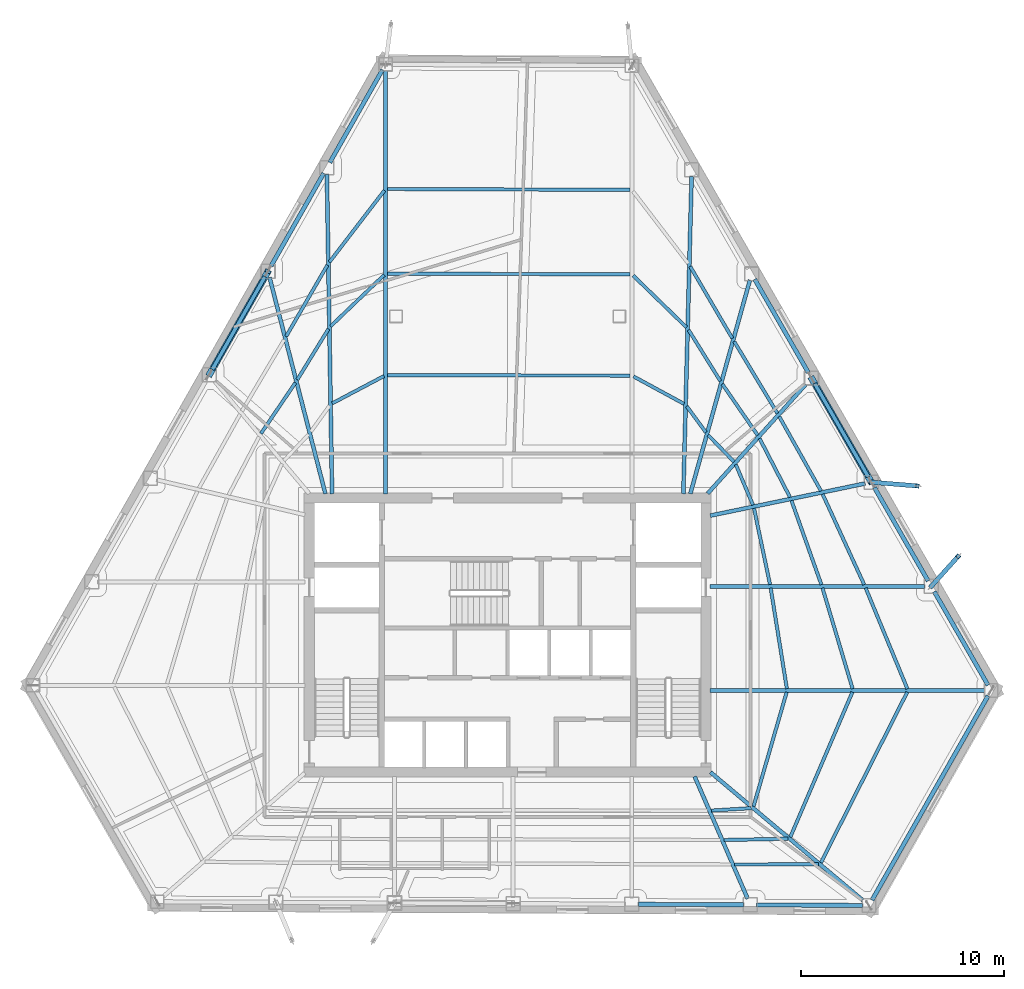
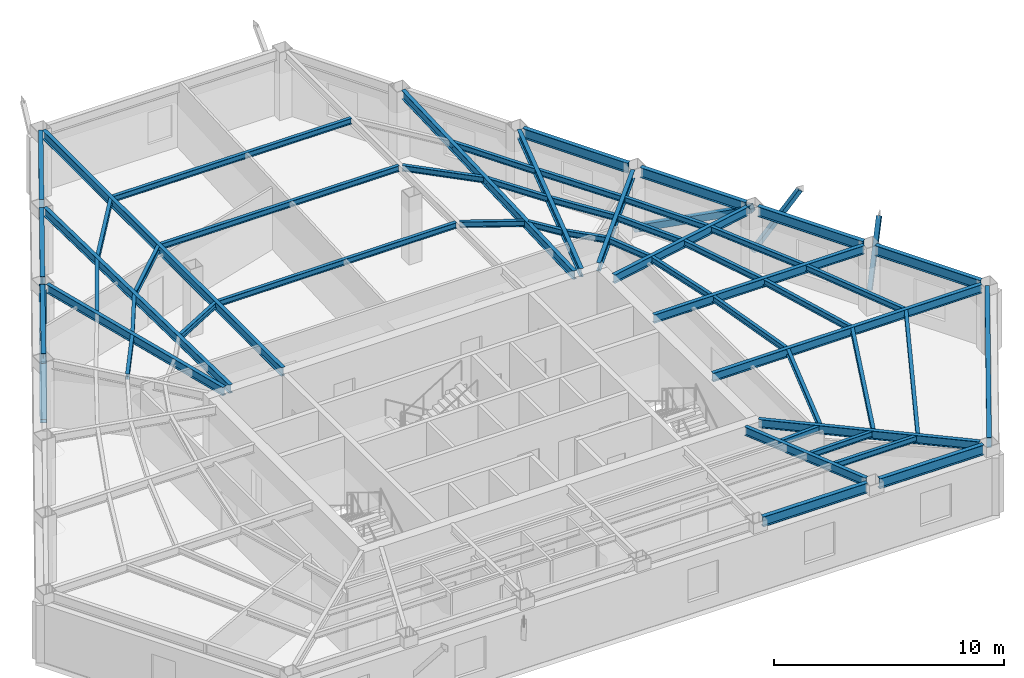
# One storey, part 2 of 13: 53 beams, 4 members.
"""IFC4 building model written with IfcOpenShell, lengths in metres."""

from ifc_helpers import new_model, si_unit, direction, frame, origin, origin_2d, place, context, subcontext, project, spatial, hollow_rectangle, i_section, extrude, material, material_profile, profile_set, type_object, element, save


model = new_model("IFC4")

# Units and contexts
model_context = context("Model", 3, precision=1e-05, world=origin(), true_north=direction((0.0, 1.0)))
body_context = subcontext(model_context, "Body", "Model", "MODEL_VIEW")
ifc_project = project(units=[si_unit("LENGTHUNIT", "METRE"), si_unit("AREAUNIT", "SQUARE_METRE"), si_unit("VOLUMEUNIT", "CUBIC_METRE"), si_unit("PLANEANGLEUNIT", "RADIAN"), si_unit("MASSUNIT", "GRAM", prefix="KILO")], contexts=[model_context])

# Site, building, storey
site_placement = place(None, origin())
site = spatial("IfcSite", under=ifc_project, at=site_placement, CompositionType="ELEMENT")
building_placement = place(site_placement, origin())
building = spatial("IfcBuilding", under=site, at=building_placement, Name="Kavelnor Concourse Tower", CompositionType="ELEMENT")
storey_placement = place(building_placement, frame((0.0, 0.0, 108.60009765625)))
storey = spatial("IfcBuildingStorey", under=building, at=storey_placement, Name="L27", CompositionType="ELEMENT", Elevation=108.60009765625)

# Beams
ifc_material = material(Name="Steel Grade 350", Category="steel")
ifc_material_profile_1 = material_profile(ifc_material, i_section(OverallWidth=0.166015625, OverallDepth=0.306884765625, WebThickness=0.006591796875, FlangeThickness=0.01171875, at=origin_2d()), Name="310UB46")
ifc_profile_set_1 = profile_set([ifc_material_profile_1], Name="Steel Grade 350")
beam_type_1 = type_object("IfcBeamType", Name="BM-JOIST-310", PredefinedType="JOIST", material=ifc_profile_set_1)
beam_1_placement = place(storey_placement, frame((48.0322265625, 7.45703125, 3.4462890625), z_axis=(0.998104270478, 0.061545635537, 0.0), x_axis=(-0.061545635537, 0.998104270478, 0.0)))
element("IfcBeam", 1, at=beam_1_placement, inside=storey, type_object=beam_type_1, Name="L27 Secondary Composite Joist 07-1", PredefinedType="JOIST", context=body_context, shape_type="SweptSolid", body=[
    extrude(i_section(OverallWidth=0.166015625, OverallDepth=0.306884765625, WebThickness=0.006591796875, FlangeThickness=0.01171875, at=origin_2d()), origin(), (0.0, 0.0, 1.0), 1.971435546875),
])
beam_2_placement = place(storey_placement, frame((48.659423828125, 6.0087890625, 3.4462890625), z_axis=(0.999815656937, 0.019200316223, 0.0), x_axis=(-0.019200316223, 0.999815656937, 0.0)))
element("IfcBeam", 2, at=beam_2_placement, inside=storey, type_object=beam_type_1, Name="L27 Secondary Composite Joist 07-2", PredefinedType="JOIST", context=body_context, shape_type="SweptSolid", body=[
    extrude(i_section(OverallWidth=0.166015625, OverallDepth=0.306884765625, WebThickness=0.006591796875, FlangeThickness=0.01171875, at=origin_2d()), origin(), (0.0, 0.0, 1.0), 3.140625),
])
beam_3_placement = place(storey_placement, frame((49.181884765625, 4.8037109375, 3.4462890625), z_axis=(0.999998901306, 0.001482358288, 0.0), x_axis=(-0.001482358288, 0.999998901306, 0.0)))
element("IfcBeam", 3, at=beam_3_placement, inside=storey, type_object=beam_type_1, Name="L27 Secondary Composite Joist 07-3", PredefinedType="JOIST", context=body_context, shape_type="SweptSolid", body=[
    extrude(i_section(OverallWidth=0.166015625, OverallDepth=0.306884765625, WebThickness=0.006591796875, FlangeThickness=0.01171875, at=origin_2d()), origin(), (0.0, 0.0, 1.0), 4.117431640625),
])
beam_4_placement = place(storey_placement, frame((50.11376953125, 7.669189453125, 3.4462890625), z_axis=(0.278659955964, 0.960389831757, 0.0), x_axis=(-0.960389831757, 0.278659955964, 0.0)))
element("IfcBeam", 4, at=beam_4_placement, inside=storey, type_object=beam_type_1, Name="L27 Secondary Composite Joist 08-1", PredefinedType="JOIST", context=body_context, shape_type="SweptSolid", body=[
    extrude(i_section(OverallWidth=0.166015625, OverallDepth=0.306884765625, WebThickness=0.006591796875, FlangeThickness=0.01171875, at=origin_2d()), origin(), (0.0, 0.0, 1.0), 5.849853515625),
])
beam_5_placement = place(storey_placement, frame((51.923583984375, 6.152587890625, 3.4462890625), z_axis=(0.393706805824, 0.919236069271, 0.0), x_axis=(-0.919236069271, 0.393706805824, 0.0)))
element("IfcBeam", 5, at=beam_5_placement, inside=storey, type_object=beam_type_1, Name="L27 Secondary Composite Joist 08-2", PredefinedType="JOIST", context=body_context, shape_type="SweptSolid", body=[
    extrude(i_section(OverallWidth=0.166015625, OverallDepth=0.306884765625, WebThickness=0.006591796875, FlangeThickness=0.01171875, at=origin_2d()), origin(), (0.0, 0.0, 1.0), 7.765625),
])
beam_6_placement = place(storey_placement, frame((53.428466796875, 4.889404296875, 3.4462890625), z_axis=(0.451573149017, 0.892234101056, 0.0), x_axis=(-0.892234101056, 0.451573149017, 0.0)))
element("IfcBeam", 6, at=beam_6_placement, inside=storey, type_object=beam_type_1, Name="L27 Secondary Composite Joist 08-3", PredefinedType="JOIST", context=body_context, shape_type="SweptSolid", body=[
    extrude(i_section(OverallWidth=0.166015625, OverallDepth=0.306884765625, WebThickness=0.006591796875, FlangeThickness=0.01171875, at=origin_2d()), origin(), (0.0, 0.0, 1.0), 9.419189453125),
])
beam_7_placement = place(storey_placement, frame((51.75439453125, 13.460693359375, 3.4462890625), z_axis=(-0.158863640224, 0.987300533685, 0.0), x_axis=(-0.987300533685, -0.158863640224, 0.0)))
element("IfcBeam", 7, at=beam_7_placement, inside=storey, type_object=beam_type_1, Name="L27 Secondary Composite Joist 09-1", PredefinedType="JOIST", context=body_context, shape_type="SweptSolid", body=[
    extrude(i_section(OverallWidth=0.166015625, OverallDepth=0.306884765625, WebThickness=0.006591796875, FlangeThickness=0.01171875, at=origin_2d()), origin(), (0.0, 0.0, 1.0), 5.01611328125),
])
beam_8_placement = place(storey_placement, frame((54.990478515625, 13.4580078125, 3.4462890625), z_axis=(-0.286404075349, 0.958108921587, 0.0), x_axis=(-0.958108921587, -0.286404075349, 0.0)))
element("IfcBeam", 8, at=beam_8_placement, inside=storey, type_object=beam_type_1, Name="L27 Secondary Composite Joist 09-2", PredefinedType="JOIST", context=body_context, shape_type="SweptSolid", body=[
    extrude(i_section(OverallWidth=0.166015625, OverallDepth=0.306884765625, WebThickness=0.006591796875, FlangeThickness=0.01171875, at=origin_2d()), origin(), (0.0, 0.0, 1.0), 5.17431640625),
])
beam_9_placement = place(storey_placement, frame((57.68798828125, 13.455078125, 3.4462890625), z_axis=(-0.382397286143, 0.923998006248, 0.0), x_axis=(-0.923998006248, -0.382397286143, 0.0)))
element("IfcBeam", 9, at=beam_9_placement, inside=storey, type_object=beam_type_1, Name="L27 Secondary Composite Joist 09-3", PredefinedType="JOIST", context=body_context, shape_type="SweptSolid", body=[
    extrude(i_section(OverallWidth=0.166015625, OverallDepth=0.306884765625, WebThickness=0.006591796875, FlangeThickness=0.01171875, at=origin_2d()), origin(), (0.0, 0.0, 1.0), 5.371826171875),
])
beam_10_placement = place(storey_placement, frame((50.9248046875, 18.587890625, 3.4462890625), z_axis=(-0.205673405393, 0.978620687659, 0.0), x_axis=(-0.978620687659, -0.205673405393, 0.0)))
element("IfcBeam", 10, at=beam_10_placement, inside=storey, type_object=beam_type_1, Name="L27 Secondary Composite Joist 10-1", PredefinedType="JOIST", context=body_context, shape_type="SweptSolid", body=[
    extrude(i_section(OverallWidth=0.166015625, OverallDepth=0.306884765625, WebThickness=0.006591796875, FlangeThickness=0.01171875, at=origin_2d()), origin(), (0.0, 0.0, 1.0), 3.8330078125),
])
beam_11_placement = place(storey_placement, frame((53.453369140625, 18.584716796875, 3.4462890625), z_axis=(-0.335455943396, 0.942055895391, 0.0), x_axis=(-0.942055895391, -0.335455943396, 0.0)))
element("IfcBeam", 11, at=beam_11_placement, inside=storey, type_object=beam_type_1, Name="L27 Secondary Composite Joist 10-2", PredefinedType="JOIST", context=body_context, shape_type="SweptSolid", body=[
    extrude(i_section(OverallWidth=0.166015625, OverallDepth=0.306884765625, WebThickness=0.006591796875, FlangeThickness=0.01171875, at=origin_2d()), origin(), (0.0, 0.0, 1.0), 4.39208984375),
])
beam_12_placement = place(storey_placement, frame((55.5625, 18.581787109375, 3.4462890625), z_axis=(-0.417382504058, 0.90873089818, 0.0), x_axis=(-0.90873089818, -0.417382504058, 0.0)))
element("IfcBeam", 12, at=beam_12_placement, inside=storey, type_object=beam_type_1, Name="L27 Secondary Composite Joist 10-3", PredefinedType="JOIST", context=body_context, shape_type="SweptSolid", body=[
    extrude(i_section(OverallWidth=0.166015625, OverallDepth=0.306884765625, WebThickness=0.006591796875, FlangeThickness=0.01171875, at=origin_2d()), origin(), (0.0, 0.0, 1.0), 4.908203125),
])
beam_13_placement = place(storey_placement, frame((50.08349609375, 22.5078125, 3.4462890625), z_axis=(-0.390433592157, 0.92063109339, 0.0), x_axis=(-0.92063109339, -0.390433592157, 0.0)))
element("IfcBeam", 13, at=beam_13_placement, inside=storey, type_object=beam_type_1, Name="L27 Secondary Composite Joist 11-1", PredefinedType="JOIST", context=body_context, shape_type="SweptSolid", body=[
    extrude(i_section(OverallWidth=0.166015625, OverallDepth=0.306884765625, WebThickness=0.006591796875, FlangeThickness=0.01171875, at=origin_2d()), origin(), (0.0, 0.0, 1.0), 2.1572265625),
])
beam_14_placement = place(storey_placement, frame((51.9091796875, 22.88525390625, 3.4462890625), z_axis=(-0.45948593653, 0.888185044983, 0.0), x_axis=(-0.888185044983, -0.45948593653, 0.0)))
element("IfcBeam", 14, at=beam_14_placement, inside=storey, type_object=beam_type_1, Name="L27 Secondary Composite Joist 11-2", PredefinedType="JOIST", context=body_context, shape_type="SweptSolid", body=[
    extrude(i_section(OverallWidth=0.166015625, OverallDepth=0.306884765625, WebThickness=0.006591796875, FlangeThickness=0.01171875, at=origin_2d()), origin(), (0.0, 0.0, 1.0), 3.26708984375),
])
beam_15_placement = place(storey_placement, frame((53.433349609375, 23.20068359375, 3.4462890625), z_axis=(-0.489388988675, 0.872065604048, 0.0), x_axis=(-0.872065604048, -0.489388988675, 0.0)))
element("IfcBeam", 15, at=beam_15_placement, inside=storey, type_object=beam_type_1, Name="L27 Secondary Composite Joist 11-3", PredefinedType="JOIST", context=body_context, shape_type="SweptSolid", body=[
    extrude(i_section(OverallWidth=0.166015625, OverallDepth=0.306884765625, WebThickness=0.006591796875, FlangeThickness=0.01171875, at=origin_2d()), origin(), (0.0, 0.0, 1.0), 4.200439453125),
])
beam_16_placement = place(storey_placement, frame((49.14453125, 24.6396484375, 3.4462890625), z_axis=(-0.695096300528, 0.718916638417, 0.0), x_axis=(-0.718916638417, -0.695096300528, 0.0)))
element("IfcBeam", 16, at=beam_16_placement, inside=storey, type_object=beam_type_1, Name="L27 Secondary Composite Joist 12-1", PredefinedType="JOIST", context=body_context, shape_type="SweptSolid", body=[
    extrude(i_section(OverallWidth=0.166015625, OverallDepth=0.306884765625, WebThickness=0.006591796875, FlangeThickness=0.01171875, at=origin_2d()), origin(), (0.0, 0.0, 1.0), 1.814208984375),
])
beam_17_placement = place(storey_placement, frame((50.31640625, 25.939453125, 3.4462890625), z_axis=(-0.568057043562, 0.822989182954, 0.0), x_axis=(-0.822989182954, -0.568057043562, 0.0)))
element("IfcBeam", 17, at=beam_17_placement, inside=storey, type_object=beam_type_1, Name="L27 Secondary Composite Joist 12-2", PredefinedType="JOIST", context=body_context, shape_type="SweptSolid", body=[
    extrude(i_section(OverallWidth=0.166015625, OverallDepth=0.306884765625, WebThickness=0.006591796875, FlangeThickness=0.01171875, at=origin_2d()), origin(), (0.0, 0.0, 1.0), 3.062744140625),
])
beam_18_placement = place(storey_placement, frame((51.288330078125, 27.017578125, 3.4462890625), z_axis=(-0.515060120998, 0.85715405369, 0.0), x_axis=(-0.85715405369, -0.515060120998, 0.0)))
element("IfcBeam", 18, at=beam_18_placement, inside=storey, type_object=beam_type_1, Name="L27 Secondary Composite Joist 12-3", PredefinedType="JOIST", context=body_context, shape_type="SweptSolid", body=[
    extrude(i_section(OverallWidth=0.166015625, OverallDepth=0.306884765625, WebThickness=0.006591796875, FlangeThickness=0.01171875, at=origin_2d()), origin(), (0.0, 0.0, 1.0), 4.13427734375),
])
beam_19_placement = place(storey_placement, frame((47.76904296875, 26.07958984375, 3.4462890625), z_axis=(-0.591231466812, 0.806501923526, 0.0), x_axis=(-0.806501923526, -0.591231466812, 0.0)))
element("IfcBeam", 19, at=beam_19_placement, inside=storey, type_object=beam_type_1, Name="L27 Secondary Composite Joist 13-1", PredefinedType="JOIST", context=body_context, shape_type="SweptSolid", body=[
    extrude(i_section(OverallWidth=0.166015625, OverallDepth=0.306884765625, WebThickness=0.006591796875, FlangeThickness=0.01171875, at=origin_2d()), origin(), (0.0, 0.0, 1.0), 1.601318359375),
])
beam_20_placement = place(storey_placement, frame((48.47900390625, 28.608642578125, 3.4462890625), z_axis=(-0.528101194385, 0.849181446152, 0.0), x_axis=(-0.849181446152, -0.528101194385, 0.0)))
element("IfcBeam", 20, at=beam_20_placement, inside=storey, type_object=beam_type_1, Name="L27 Secondary Composite Joist 13-2", PredefinedType="JOIST", context=body_context, shape_type="SweptSolid", body=[
    extrude(i_section(OverallWidth=0.166015625, OverallDepth=0.306884765625, WebThickness=0.006591796875, FlangeThickness=0.01171875, at=origin_2d()), origin(), (0.0, 0.0, 1.0), 2.96240234375),
])
beam_21_placement = place(storey_placement, frame((49.068115234375, 30.71435546875, 3.4462890625), z_axis=(-0.505575920492, 0.862782121174, 0.0), x_axis=(-0.862782121174, -0.505575920492, 0.0)))
element("IfcBeam", 21, at=beam_21_placement, inside=storey, type_object=beam_type_1, Name="L27 Secondary Composite Joist 13-3", PredefinedType="JOIST", context=body_context, shape_type="SweptSolid", body=[
    extrude(i_section(OverallWidth=0.166015625, OverallDepth=0.306884765625, WebThickness=0.006591796875, FlangeThickness=0.01171875, at=origin_2d()), origin(), (0.0, 0.0, 1.0), 4.102294921875),
])
beam_22_placement = place(storey_placement, frame((46.69140625, 27.4853515625, 3.4462890625), z_axis=(-0.878947364691, 0.476918787744, 0.0), x_axis=(-0.476918787744, -0.878947364691, 0.0)))
element("IfcBeam", 22, at=beam_22_placement, inside=storey, type_object=beam_type_1, Name="L27 Secondary Composite Joist 14-1", PredefinedType="JOIST", context=body_context, shape_type="SweptSolid", body=[
    extrude(i_section(OverallWidth=0.166015625, OverallDepth=0.306884765625, WebThickness=0.006591796875, FlangeThickness=0.01171875, at=origin_2d()), origin(), (0.0, 0.0, 1.0), 2.8330078125),
])
beam_23_placement = place(storey_placement, frame((46.8037109375, 31.26171875, 3.4462890625), z_axis=(-0.717171401235, 0.696896822529, 0.0), x_axis=(-0.696896822529, -0.717171401235, 0.0)))
element("IfcBeam", 23, at=beam_23_placement, inside=storey, type_object=beam_type_1, Name="L27 Secondary Composite Joist 14-2", PredefinedType="JOIST", context=body_context, shape_type="SweptSolid", body=[
    extrude(i_section(OverallWidth=0.166015625, OverallDepth=0.306884765625, WebThickness=0.006591796875, FlangeThickness=0.01171875, at=origin_2d()), origin(), (0.0, 0.0, 1.0), 3.648681640625),
])
for number, where, z_axis, x_axis, name in (
    (24, (44.0341796875, 28.87890625, 3.4462890625), (-0.999998948729, 0.001450013793, 0.0), (-0.001450013793, -0.999998948729, 0.0), "L27 Secondary Composite Joist 15-1"),
    (25, (44.0341796875, 33.86669921875, 3.4462890625), (-0.999996421189, 0.002675370799, 0.0), (-0.002675370799, -0.999996421189, 0.0), "L27 Secondary Composite Joist 15-2"),
    (26, (44.0341796875, 38.02294921875, 3.4462890625), (-0.99999301613, 0.003737337322, 0.0), (-0.003737337322, -0.99999301613, 0.0), "L27 Secondary Composite Joist 15-3"),
):
    element("IfcBeam", number, at=place(storey_placement, frame(where, z_axis=z_axis, x_axis=x_axis)), inside=storey, type_object=beam_type_1, Name=name, PredefinedType="JOIST", context=body_context, shape_type="SweptSolid", body=[
        extrude(i_section(OverallWidth=0.166015625, OverallDepth=0.306884765625, WebThickness=0.006591796875, FlangeThickness=0.01171875, at=origin_2d()), origin(), (0.0, 0.0, 1.0), 11.954345703125),
    ])
beam_24_placement = place(storey_placement, frame((31.912109375, 28.85498046875, 3.4462890625), z_axis=(-0.884448894536, -0.466637067703, 0.0), x_axis=(0.466637067703, -0.884448894536, 0.0)))
element("IfcBeam", 27, at=beam_24_placement, inside=storey, type_object=beam_type_1, Name="L27 Secondary Composite Joist 16-1", PredefinedType="JOIST", context=body_context, shape_type="SweptSolid", body=[
    extrude(i_section(OverallWidth=0.166015625, OverallDepth=0.306884765625, WebThickness=0.006591796875, FlangeThickness=0.01171875, at=origin_2d()), origin(), (0.0, 0.0, 1.0), 2.880126953125),
])
beam_25_placement = place(storey_placement, frame((31.926513671875, 33.83740234375, 3.4462890625), z_axis=(-0.722148165539, -0.691738409378, 0.0), x_axis=(0.691738409378, -0.722148165539, 0.0)))
element("IfcBeam", 28, at=beam_25_placement, inside=storey, type_object=beam_type_1, Name="L27 Secondary Composite Joist 16-2", PredefinedType="JOIST", context=body_context, shape_type="SweptSolid", body=[
    extrude(i_section(OverallWidth=0.166015625, OverallDepth=0.306884765625, WebThickness=0.006591796875, FlangeThickness=0.01171875, at=origin_2d()), origin(), (0.0, 0.0, 1.0), 3.65283203125),
])
beam_26_placement = place(storey_placement, frame((31.9365234375, 37.997314453125, 3.4462890625), z_axis=(-0.609050102371, -0.793131749965, 0.0), x_axis=(0.793131749965, -0.609050102371, 0.0)))
element("IfcBeam", 29, at=beam_26_placement, inside=storey, type_object=beam_type_1, Name="L27 Secondary Composite Joist 16-3", PredefinedType="JOIST", context=body_context, shape_type="SweptSolid", body=[
    extrude(i_section(OverallWidth=0.166015625, OverallDepth=0.306884765625, WebThickness=0.006591796875, FlangeThickness=0.01171875, at=origin_2d()), origin(), (0.0, 0.0, 1.0), 4.4482421875),
])
beam_27_placement = place(storey_placement, frame((29.177734375, 31.173095703125, 3.4462890625), z_axis=(-0.52281402565, -0.852446769355, 0.0), x_axis=(0.852446769355, -0.52281402565, 0.0)))
element("IfcBeam", 30, at=beam_27_placement, inside=storey, type_object=beam_type_1, Name="L27 Secondary Composite Joist 17-2", PredefinedType="JOIST", context=body_context, shape_type="SweptSolid", body=[
    extrude(i_section(OverallWidth=0.166015625, OverallDepth=0.306884765625, WebThickness=0.006591796875, FlangeThickness=0.01171875, at=origin_2d()), origin(), (0.0, 0.0, 1.0), 2.9306640625),
])
beam_28_placement = place(storey_placement, frame((29.12841796875, 34.321533203125, 3.4462890625), z_axis=(-0.500882269219, -0.865515425849, 0.0), x_axis=(0.865515425849, -0.500882269219, 0.0)))
element("IfcBeam", 31, at=beam_28_placement, inside=storey, type_object=beam_type_1, Name="L27 Secondary Composite Joist 17-3", PredefinedType="JOIST", context=body_context, shape_type="SweptSolid", body=[
    extrude(i_section(OverallWidth=0.166015625, OverallDepth=0.306884765625, WebThickness=0.006591796875, FlangeThickness=0.01171875, at=origin_2d()), origin(), (0.0, 0.0, 1.0), 4.062255859375),
])
beam_29_placement = place(storey_placement, frame((27.54931640625, 28.525146484375, 3.4462890625), z_axis=(-0.560742779062, -0.827990057748, 0.0), x_axis=(0.827990057748, -0.560742779062, 0.0)))
element("IfcBeam", 32, at=beam_29_placement, inside=storey, type_object=beam_type_1, Name="L27 Secondary Composite Joist 18-2", PredefinedType="JOIST", context=body_context, shape_type="SweptSolid", body=[
    extrude(i_section(OverallWidth=0.166015625, OverallDepth=0.306884765625, WebThickness=0.006591796875, FlangeThickness=0.01171875, at=origin_2d()), origin(), (0.0, 0.0, 1.0), 3.02294921875),
])
ifc_material_profile_2 = material_profile(ifc_material, i_section(OverallWidth=0.18994140625, OverallDepth=0.4541015625, WebThickness=0.008544921875, FlangeThickness=0.0126953125, at=origin_2d()), Name="460UB67")
ifc_profile_set_2 = profile_set([ifc_material_profile_2], Name="Steel Grade 350")
beam_type_2 = type_object("IfcBeamType", Name="BM-PRIMARY-460", PredefinedType="BEAM", material=ifc_profile_set_2)
beam_30_placement = place(storey_placement, frame((31.99072265625, 23.06005859375, 3.372802734375), z_axis=(0.0, 1.0, 0.0), x_axis=(-1.0, 0.0, 0.0)))
element("IfcBeam", 33, at=beam_30_placement, inside=storey, type_object=beam_type_2, Name="L27 Primary Floor Girder F0-B0", PredefinedType="BEAM", context=body_context, shape_type="SweptSolid", body=[
    extrude(i_section(OverallWidth=0.18994140625, OverallDepth=0.4541015625, WebThickness=0.008544921875, FlangeThickness=0.0126953125, at=origin_2d()), origin(), (0.0, 0.0, 1.0), 20.84423828125),
])
beam_31_placement = place(storey_placement, frame((29.35791015625, 23.06005859375, 3.372802734375), z_axis=(-0.016291400811, 0.999867286323, 0.0), x_axis=(-0.999867286323, -0.016291400811, 0.0)))
element("IfcBeam", 34, at=beam_31_placement, inside=storey, type_object=beam_type_2, Name="L27 Primary Floor Girder F0-B1", PredefinedType="BEAM", context=body_context, shape_type="SweptSolid", body=[
    extrude(i_section(OverallWidth=0.18994140625, OverallDepth=0.4541015625, WebThickness=0.008544921875, FlangeThickness=0.0126953125, at=origin_2d()), origin(), (0.0, 0.0, 1.0), 15.750244140625),
])
beam_32_placement = place(storey_placement, frame((29.028564453125, 23.061279296875, 3.372802734375), z_axis=(-0.249950524872, 0.968258609627, 0.0), x_axis=(-0.968258609627, -0.249950524872, 0.0)))
element("IfcBeam", 35, at=beam_32_placement, inside=storey, type_object=beam_type_2, Name="L27 Primary Floor Girder F0-B2", PredefinedType="BEAM", context=body_context, shape_type="SweptSolid", body=[
    extrude(i_section(OverallWidth=0.18994140625, OverallDepth=0.4541015625, WebThickness=0.008544921875, FlangeThickness=0.0126953125, at=origin_2d()), origin(), (0.0, 0.0, 1.0), 10.998291015625),
])
beam_33_placement = place(storey_placement, frame((47.2119140625, 9.13671875, 3.372802734375), z_axis=(0.398199465557, -0.917298852953, 0.0), x_axis=(0.917298852953, 0.398199465557, 0.0)))
element("IfcBeam", 36, at=beam_33_placement, inside=storey, type_object=beam_type_2, Name="L27 Primary Floor Girder F1-B5", PredefinedType="BEAM", context=body_context, shape_type="SweptSolid", body=[
    extrude(i_section(OverallWidth=0.18994140625, OverallDepth=0.4541015625, WebThickness=0.008544921875, FlangeThickness=0.0126953125, at=origin_2d()), origin(), (0.0, 0.0, 1.0), 6.560791015625),
])
beam_34_placement = place(storey_placement, frame((47.989501953125, 9.348876953125, 3.372802734375), z_axis=(0.765433786045, -0.643514661201, 0.0), x_axis=(0.643514661201, 0.765433786045, 0.0)))
element("IfcBeam", 37, at=beam_34_placement, inside=storey, type_object=beam_type_2, Name="L27 Primary Floor Girder F1-B6", PredefinedType="BEAM", context=body_context, shape_type="SweptSolid", body=[
    extrude(i_section(OverallWidth=0.18994140625, OverallDepth=0.4541015625, WebThickness=0.008544921875, FlangeThickness=0.0126953125, at=origin_2d()), origin(), (0.0, 0.0, 1.0), 9.796142578125),
])
beam_35_placement = place(storey_placement, frame((47.97998046875, 13.372802734375, 3.372802734375), z_axis=(1.0, 0.0, 0.0), x_axis=(0.0, 1.0, 0.0)))
element("IfcBeam", 38, at=beam_35_placement, inside=storey, type_object=beam_type_2, Name="L27 Primary Floor Girder F2-B0", PredefinedType="BEAM", context=body_context, shape_type="SweptSolid", body=[
    extrude(i_section(OverallWidth=0.18994140625, OverallDepth=0.4541015625, WebThickness=0.008544921875, FlangeThickness=0.0126953125, at=origin_2d()), origin(), (0.0, 0.0, 1.0), 13.53076171875),
])
beam_36_placement = place(storey_placement, frame((47.97998046875, 18.5009765625, 3.372802734375), z_axis=(1.0, 0.0, 0.0), x_axis=(0.0, 1.0, 0.0)))
element("IfcBeam", 39, at=beam_36_placement, inside=storey, type_object=beam_type_2, Name="L27 Primary Floor Girder F2-B1", PredefinedType="BEAM", context=body_context, shape_type="SweptSolid", body=[
    extrude(i_section(OverallWidth=0.18994140625, OverallDepth=0.4541015625, WebThickness=0.008544921875, FlangeThickness=0.0126953125, at=origin_2d()), origin(), (0.0, 0.0, 1.0), 10.5830078125),
])
beam_37_placement = place(storey_placement, frame((47.980712890625, 21.982421875, 3.372802734375), z_axis=(0.979136188722, 0.203205127726, 0.0), x_axis=(-0.203205127726, 0.979136188722, 0.0)))
element("IfcBeam", 40, at=beam_37_placement, inside=storey, type_object=beam_type_2, Name="L27 Primary Floor Girder F2-B2", PredefinedType="BEAM", context=body_context, shape_type="SweptSolid", body=[
    extrude(i_section(OverallWidth=0.18994140625, OverallDepth=0.4541015625, WebThickness=0.008544921875, FlangeThickness=0.0126953125, at=origin_2d()), origin(), (0.0, 0.0, 1.0), 7.796142578125),
])
beam_38_placement = place(storey_placement, frame((47.852294921875, 23.0703125, 3.372802734375), z_axis=(0.668709151108, 0.743524089203, 0.0), x_axis=(-0.743524089203, 0.668709151108, 0.0)))
element("IfcBeam", 41, at=beam_38_placement, inside=storey, type_object=beam_type_2, Name="L27 Primary Floor Girder F2-B3", PredefinedType="BEAM", context=body_context, shape_type="SweptSolid", body=[
    extrude(i_section(OverallWidth=0.18994140625, OverallDepth=0.4541015625, WebThickness=0.008544921875, FlangeThickness=0.0126953125, at=origin_2d()), origin(), (0.0, 0.0, 1.0), 7.2314453125),
])
beam_39_placement = place(storey_placement, frame((46.999755859375, 23.0615234375, 3.372802734375), z_axis=(0.268703010086, 0.963223075082, 0.0), x_axis=(-0.963223075082, 0.268703010086, 0.0)))
element("IfcBeam", 42, at=beam_39_placement, inside=storey, type_object=beam_type_2, Name="L27 Primary Floor Girder F2-B4", PredefinedType="BEAM", context=body_context, shape_type="SweptSolid", body=[
    extrude(i_section(OverallWidth=0.18994140625, OverallDepth=0.4541015625, WebThickness=0.008544921875, FlangeThickness=0.0126953125, at=origin_2d()), origin(), (0.0, 0.0, 1.0), 10.924072265625),
])
beam_40_placement = place(storey_placement, frame((46.655517578125, 23.06005859375, 3.372802734375), z_axis=(0.026053290724, 0.99966055541, 0.0), x_axis=(-0.99966055541, 0.026053290724, 0.0)))
element("IfcBeam", 43, at=beam_40_placement, inside=storey, type_object=beam_type_2, Name="L27 Primary Floor Girder F2-B5", PredefinedType="BEAM", context=body_context, shape_type="SweptSolid", body=[
    extrude(i_section(OverallWidth=0.18994140625, OverallDepth=0.4541015625, WebThickness=0.008544921875, FlangeThickness=0.0126953125, at=origin_2d()), origin(), (0.0, 0.0, 1.0), 15.65869140625),
])
ifc_material_profile_3 = material_profile(ifc_material, i_section(OverallWidth=0.208984375, OverallDepth=0.532958984375, WebThickness=0.01025390625, FlangeThickness=0.015625, at=origin_2d()), Name="530UB92")
ifc_profile_set_3 = profile_set([ifc_material_profile_3], Name="Steel Grade 350")
beam_type_3 = type_object("IfcBeamType", Name="BM-SPANDREL-Z2", PredefinedType="SPANDREL", material=ifc_profile_set_3)
beam_41_placement = place(storey_placement, frame((31.840087890625, 43.939208984375, 3.33349609375), z_axis=(-0.493864017051, -0.869539149585, 0.0), x_axis=(0.869539149585, -0.493864017051, 0.0)))
element("IfcBeam", 44, at=beam_41_placement, inside=storey, type_object=beam_type_3, Name="L27 Perimeter Tube Spandrel Beam F0-B0", PredefinedType="SPANDREL", context=body_context, shape_type="SweptSolid", body=[
    extrude(i_section(OverallWidth=0.208984375, OverallDepth=0.532958984375, WebThickness=0.01025390625, FlangeThickness=0.015625, at=origin_2d()), origin(), (0.0, 0.0, 1.0), 5.2509765625),
])
beam_42_placement = place(storey_placement, frame((28.94580078125, 38.843017578125, 3.33349609375), z_axis=(-0.493879204086, -0.869530523772, 0.0), x_axis=(0.869530523772, -0.493879204086, 0.0)))
element("IfcBeam", 45, at=beam_42_placement, inside=storey, type_object=beam_type_3, Name="L27 Perimeter Tube Spandrel Beam F0-B1", PredefinedType="SPANDREL", context=body_context, shape_type="SweptSolid", body=[
    extrude(i_section(OverallWidth=0.208984375, OverallDepth=0.532958984375, WebThickness=0.01025390625, FlangeThickness=0.015625, at=origin_2d()), origin(), (0.0, 0.0, 1.0), 5.251220703125),
])
beam_43_placement = place(storey_placement, frame((26.051025390625, 33.74658203125, 3.33349609375), z_axis=(-0.493864017051, -0.869539149585, 0.0), x_axis=(0.869539149585, -0.493864017051, 0.0)))
element("IfcBeam", 46, at=beam_43_placement, inside=storey, type_object=beam_type_3, Name="L27 Perimeter Tube Spandrel Beam F0-B2", PredefinedType="SPANDREL", context=body_context, shape_type="SweptSolid", body=[
    extrude(i_section(OverallWidth=0.208984375, OverallDepth=0.532958984375, WebThickness=0.01025390625, FlangeThickness=0.015625, at=origin_2d()), origin(), (0.0, 0.0, 1.0), 5.2509765625),
])
for number, where, z_axis, x_axis, name in (
    (47, (44.420166015625, 2.843994140625, 3.33349609375), (0.99998658085, -0.005180552155, 0.0), (0.005180552155, 0.99998658085, 0.0), "L27 Perimeter Tube Spandrel Beam F1-B4"),
    (48, (50.26123046875, 2.813720703125, 3.33349609375), (0.99998658085, -0.005180552155, 0.0), (0.005180552155, 0.99998658085, 0.0), "L27 Perimeter Tube Spandrel Beam F1-B5"),
):
    element("IfcBeam", number, at=place(storey_placement, frame(where, z_axis=z_axis, x_axis=x_axis)), inside=storey, type_object=beam_type_3, Name=name, PredefinedType="SPANDREL", context=body_context, shape_type="SweptSolid", body=[
        extrude(i_section(OverallWidth=0.208984375, OverallDepth=0.532958984375, WebThickness=0.01025390625, FlangeThickness=0.015625, at=origin_2d()), origin(), (0.0, 0.0, 1.0), 5.23095703125),
    ])
beam_44_placement = place(storey_placement, frame((61.65869140625, 13.63720703125, 3.33349609375), z_axis=(-0.498352664623, 0.866974406579, 0.0), x_axis=(-0.866974406579, -0.498352664623, 0.0)))
element("IfcBeam", 49, at=beam_44_placement, inside=storey, type_object=beam_type_3, Name="L27 Perimeter Tube Spandrel Beam F2-B0", PredefinedType="SPANDREL", context=body_context, shape_type="SweptSolid", body=[
    extrude(i_section(OverallWidth=0.208984375, OverallDepth=0.532958984375, WebThickness=0.01025390625, FlangeThickness=0.015625, at=origin_2d()), origin(), (0.0, 0.0, 1.0), 5.30517578125),
])
beam_45_placement = place(storey_placement, frame((58.7109375, 18.765380859375, 3.33349609375), z_axis=(-0.498407138833, 0.866943091535, 0.0), x_axis=(-0.866943091535, -0.498407138833, 0.0)))
element("IfcBeam", 50, at=beam_45_placement, inside=storey, type_object=beam_type_3, Name="L27 Perimeter Tube Spandrel Beam F2-B1", PredefinedType="SPANDREL", context=body_context, shape_type="SweptSolid", body=[
    extrude(i_section(OverallWidth=0.208984375, OverallDepth=0.532958984375, WebThickness=0.01025390625, FlangeThickness=0.015625, at=origin_2d()), origin(), (0.0, 0.0, 1.0), 5.304931640625),
])
for number, where, z_axis, x_axis, name in (
    (51, (55.762939453125, 23.893310546875, 3.33349609375), (-0.498332781847, 0.866985835257, 0.0), (-0.866985835257, -0.498332781847, 0.0), "L27 Perimeter Tube Spandrel Beam F2-B2"),
    (52, (52.815185546875, 29.021484375, 3.33349609375), (-0.498387254264, 0.866954522906, 0.0), (-0.866954522906, -0.498387254264, 0.0), "L27 Perimeter Tube Spandrel Beam F2-B3"),
):
    element("IfcBeam", number, at=place(storey_placement, frame(where, z_axis=z_axis, x_axis=x_axis)), inside=storey, type_object=beam_type_3, Name=name, PredefinedType="SPANDREL", context=body_context, shape_type="SweptSolid", body=[
        extrude(i_section(OverallWidth=0.208984375, OverallDepth=0.532958984375, WebThickness=0.01025390625, FlangeThickness=0.015625, at=origin_2d()), origin(), (0.0, 0.0, 1.0), 5.30517578125),
    ])
beam_46_placement = place(storey_placement, frame((55.94775390625, 3.050048828125, 3.33349609375), z_axis=(0.49386869677, 0.869536491673, 0.0), x_axis=(-0.869536491673, 0.49386869677, 0.0)))
element("IfcBeam", 53, at=beam_46_placement, inside=storey, type_object=beam_type_3, Name="L27 Chamfer Facet Spandrel Beam C2", PredefinedType="SPANDREL", context=body_context, shape_type="SweptSolid", body=[
    extrude(i_section(OverallWidth=0.208984375, OverallDepth=0.532958984375, WebThickness=0.01025390625, FlangeThickness=0.015625, at=origin_2d()), origin(), (0.0, 0.0, 1.0), 11.566650390625),
])

# Members
ifc_material_profile_4 = material_profile(ifc_material, hollow_rectangle(XDim=0.219970703125, YDim=0.219970703125, WallThickness=0.013916015625, at=origin_2d()), Name="SHS 220x220x14")
ifc_profile_set_4 = profile_set([ifc_material_profile_4], Name="Steel Grade 350")
member_type_1 = type_object("IfcMemberType", Name="MBR-BALC-STRUT-220", PredefinedType="STRUT", material=ifc_profile_set_4)
member_1_placement = place(storey_placement, frame((58.86279296875, 18.5009765625, 1.0498046875), z_axis=(0.40532170086, 0.451582457381, 0.794850679686), x_axis=(-0.744196904804, 0.667960303372, 0.0)))
element("IfcMember", 54, at=member_1_placement, inside=storey, type_object=member_type_1, Name="L27 Tree Balcony Raking Knee Strut 2-A", PredefinedType="STRUT", context=body_context, shape_type="SweptSolid", body=[
    extrude(hollow_rectangle(XDim=0.219970703125, YDim=0.219970703125, WallThickness=0.013916015625, at=origin_2d()), origin(), (0.0, 0.0, 1.0), 3.27734375),
])
member_2_placement = place(storey_placement, frame((55.9150390625, 23.62890625, 1.0498046875), z_axis=(0.656466623749, -0.053665388406, 0.752443750715), x_axis=(0.081477048133, 0.996675218227, 0.0)))
element("IfcMember", 55, at=member_2_placement, inside=storey, type_object=member_type_1, Name="L27 Tree Balcony Raking Knee Strut 2-B", PredefinedType="STRUT", context=body_context, shape_type="SweptSolid", body=[
    extrude(hollow_rectangle(XDim=0.219970703125, YDim=0.219970703125, WallThickness=0.013916015625, at=origin_2d()), origin(), (0.0, 0.0, 1.0), 3.4619140625),
])
ifc_material_profile_5 = material_profile(ifc_material, hollow_rectangle(XDim=0.320068359375, YDim=0.320068359375, WallThickness=0.01806640625, at=origin_2d()), Name="SHS 320x320x18")
ifc_profile_set_5 = profile_set([ifc_material_profile_5], Name="Steel Grade 350")
member_type_2 = type_object("IfcMemberType", Name="MBR-TUBE-DIAG-Z2", PredefinedType="BRACE", material=ifc_profile_set_5)
member_3_placement = place(storey_placement, frame((23.30712890625, 28.915283203125, 0.219970703125), z_axis=(0.436139048657, 0.767915202489, 0.469136410891), x_axis=(-0.869542342274, 0.493858395689, 0.0)))
element("IfcMember", 56, at=member_3_placement, inside=storey, type_object=member_type_2, Name="L27 Framed-Tube Bracing Diagonal F0-B2", PredefinedType="BRACE", context=body_context, shape_type="SweptSolid", body=[
    extrude(hollow_rectangle(XDim=0.320068359375, YDim=0.320068359375, WallThickness=0.01806640625, at=origin_2d()), origin(), (0.0, 0.0, 1.0), 6.63671875),
])
member_4_placement = place(storey_placement, frame((52.967041015625, 28.757080078125, 0.219970703125), z_axis=(0.441018204928, -0.767170798717, 0.465780966248), x_axis=(0.866957575774, 0.498381943702, 0.0)))
element("IfcMember", 57, at=member_4_placement, inside=storey, type_object=member_type_2, Name="L27 Framed-Tube Bracing Diagonal F2-B2", PredefinedType="BRACE", context=body_context, shape_type="SweptSolid", body=[
    extrude(hollow_rectangle(XDim=0.320068359375, YDim=0.320068359375, WallThickness=0.01806640625, at=origin_2d()), origin(), (0.0, 0.0, 1.0), 6.6845703125),
])

save(model, "model.ifc")
